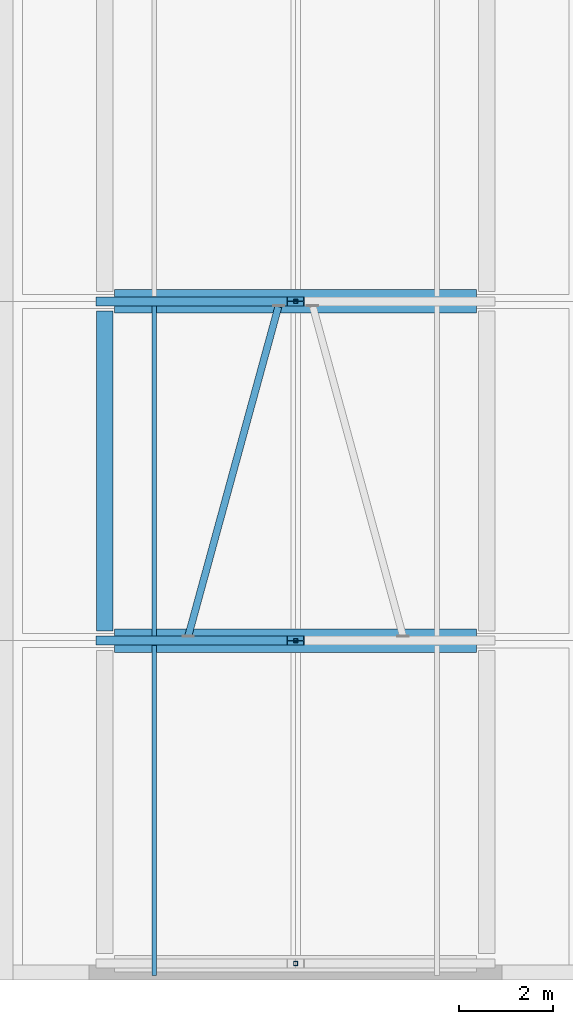
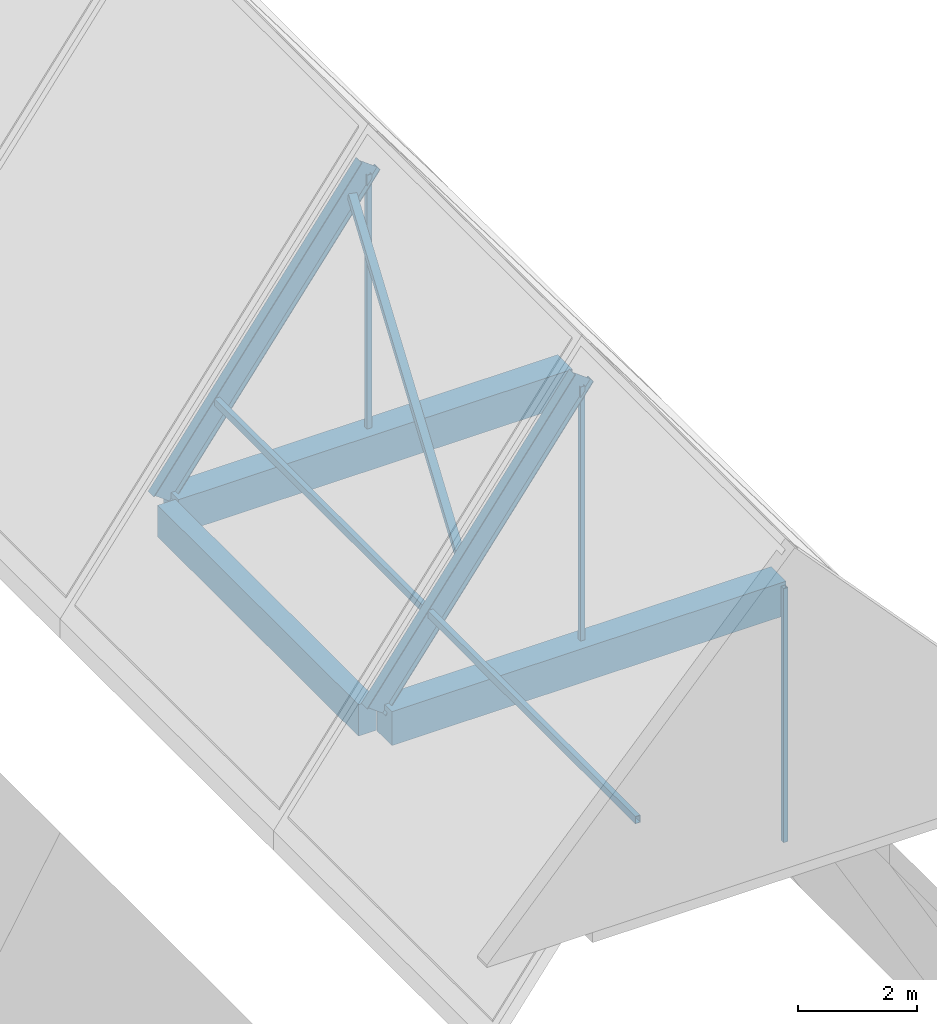
# One storey, part 4 of 29: 8 members, 3 beams.
"""IFC4 building model written with IfcOpenShell, lengths in metres."""

from ifc_helpers import new_model, si_unit, derived_unit, direction, frame, origin, origin_2d, place, context, subcontext, project, spatial, rectangle, hollow_rectangle, i_section, extrude, material, material_profile, profile_set, type_object, element, save


model = new_model("IFC4")

# Units and contexts
model_context = context("Model", 3, precision=1e-05, world=origin(), true_north=direction((0.0, 1.0)))
body_context = subcontext(model_context, "Body", "Model", "MODEL_VIEW")
ifc_project = project(units=[si_unit("LENGTHUNIT", "METRE"), si_unit("AREAUNIT", "SQUARE_METRE"), si_unit("VOLUMEUNIT", "CUBIC_METRE"), si_unit("PLANEANGLEUNIT", "RADIAN"), si_unit("MASSUNIT", "GRAM", prefix="KILO"), derived_unit("THERMALTRANSMITTANCEUNIT", [(si_unit("MASSUNIT", "GRAM", prefix="KILO"), 1), (si_unit("TIMEUNIT", "SECOND"), -3), (si_unit("THERMODYNAMICTEMPERATUREUNIT", "KELVIN"), -1)])], contexts=[model_context])

# Site, building, storey
site_placement = place(None, origin())
site = spatial("IfcSite", under=ifc_project, at=site_placement, CompositionType="ELEMENT")
building_placement = place(site_placement, origin())
building = spatial("IfcBuilding", under=site, at=building_placement, Name="Ochrekiln Boulevard Commons", CompositionType="ELEMENT")
storey_placement = place(building_placement, frame((0.0, 0.0, 37.27490234375)))
storey = spatial("IfcBuildingStorey", under=building, at=storey_placement, Name="L11", CompositionType="ELEMENT", Elevation=37.27490234375)

# Beams
ifc_material_1 = material(Name="Concrete C40/50", Category="concrete")
ifc_material_profile_1 = material_profile(ifc_material_1, rectangle(XDim=0.5, YDim=0.699951171875, at=origin_2d()), Name="RC-BM-500x700")
ifc_profile_set_1 = profile_set([ifc_material_profile_1], Name="Concrete C40/50")
beam_type_1 = type_object("IfcBeamType", Name="BM-RC-500x700", PredefinedType="BEAM", material=ifc_profile_set_1)
for number, where, z_axis, x_axis, name in (
    (1, (156.360107421875, 7.199951171875, -0.64990234375), (1.0, 0.0, 0.0), (0.0, 1.0, 0.0), "Block C L11 Beam B-5070 X2"),
    (2, (156.360107421875, 14.39990234375, -0.64990234375), (1.0, 0.0, 0.0), (0.0, 1.0, 0.0), "Block C L11 Beam B-5070 X3"),
):
    element("IfcBeam", number, at=place(storey_placement, frame(where, z_axis=z_axis, x_axis=x_axis)), inside=storey, type_object=beam_type_1, Name=name, PredefinedType="BEAM", context=body_context, shape_type="SweptSolid", body=[
        extrude(rectangle(XDim=0.5, YDim=0.699951171875, at=origin_2d()), origin(), (0.0, 0.0, 1.0), 7.679931640625),
    ])

# Members
ifc_material_2 = material(Name="Steel A500 Grade C", Category="steel")
ifc_material_profile_2 = material_profile(ifc_material_2, hollow_rectangle(XDim=0.14990234375, YDim=0.14990234375, WallThickness=0.009521484375, at=origin_2d()), Name="HSS150X150X9.5")
ifc_profile_set_2 = profile_set([ifc_material_profile_2], Name="Steel A500 Grade C")
member_type_1 = type_object("IfcMemberType", Name="MEM-BRC-HSS150", PredefinedType="BRACE", material=ifc_profile_set_2)
member_placement = place(storey_placement, frame((157.919921875, 7.2900390625, 2.054931640625), z_axis=(0.248542766862, 0.908658451157, 0.335509034428), x_axis=(-0.964567699772, 0.263835464934, 0.0)))
element("IfcMember", 3, at=member_placement, inside=storey, type_object=member_type_1, Name="Block C Roof Diagonal Brace 2W", PredefinedType="BRACE", context=body_context, shape_type="SweptSolid", body=[
    extrude(hollow_rectangle(XDim=0.14990234375, YDim=0.14990234375, WallThickness=0.009521484375, at=origin_2d()), origin(), (0.0, 0.0, 1.0), 7.7255859375),
])
ifc_material_profile_3 = material_profile(ifc_material_2, hollow_rectangle(XDim=0.090087890625, YDim=0.090087890625, WallThickness=0.00634765625, at=origin_2d()), Name="HSS90X90X6.4")
ifc_profile_set_3 = profile_set([ifc_material_profile_3], Name="Steel A500 Grade C")
member_type_2 = type_object("IfcMemberType", Name="MEM-PST-HSS90", PredefinedType="POST", material=ifc_profile_set_3)
for number, where, z_axis, x_axis, name in (
    (4, (160.199951171875, 0.35009765625, -0.2998046875), (0.0, 0.0, 1.0), (1.0, 0.0, 0.0), "Block C Attic Gable Ridge King-Post 1"),
    (5, (160.199951171875, 7.199951171875, -0.2998046875), (0.0, 0.0, 1.0), (1.0, 0.0, 0.0), "Block C Attic Gable Ridge King-Post 2"),
    (6, (160.199951171875, 14.39990234375, -0.2998046875), (0.0, 0.0, 1.0), (1.0, 0.0, 0.0), "Block C Attic Gable Ridge King-Post 3"),
):
    element("IfcMember", number, at=place(storey_placement, frame(where, z_axis=z_axis, x_axis=x_axis)), inside=storey, type_object=member_type_2, Name=name, PredefinedType="POST", context=body_context, shape_type="SweptSolid", body=[
        extrude(hollow_rectangle(XDim=0.090087890625, YDim=0.090087890625, WallThickness=0.00634765625, at=origin_2d()), origin(), (0.0, 0.0, 1.0), 5.231201171875),
    ])
ifc_material_profile_4 = material_profile(ifc_material_2, hollow_rectangle(XDim=0.10009765625, YDim=0.14990234375, WallThickness=0.00634765625, at=origin_2d()), Name="HSS150X100X6.4")
ifc_profile_set_4 = profile_set([ifc_material_profile_4], Name="Steel A500 Grade C")
member_type_3 = type_object("IfcMemberType", Name="MEM-PUR-HSS150X100", PredefinedType="PURLIN", material=ifc_profile_set_4)
for number, where, z_axis, x_axis, name in (
    (7, (157.199951171875, 0.10009765625, 1.3408203125), (0.0, 1.0, 0.0), (-1.0, 0.0, 0.0), "Block C Roof Purlin 1W.1"),
    (8, (157.199951171875, 7.300048828125, 1.3408203125), (0.0, 1.0, 0.0), (-1.0, 0.0, 0.0), "Block C Roof Purlin 2W.1"),
):
    element("IfcMember", number, at=place(storey_placement, frame(where, z_axis=z_axis, x_axis=x_axis)), inside=storey, type_object=member_type_3, Name=name, PredefinedType="PURLIN", context=body_context, shape_type="SweptSolid", body=[
        extrude(hollow_rectangle(XDim=0.10009765625, YDim=0.14990234375, WallThickness=0.00634765625, at=origin_2d()), origin(), (0.0, 0.0, 1.0), 7.0),
    ])
ifc_material_3 = material(Name="Steel A992 Grade 50", Category="steel")
ifc_material_profile_5 = material_profile(ifc_material_3, i_section(OverallWidth=0.19091796875, OverallDepth=0.45703125, WebThickness=0.009033203125, FlangeThickness=0.014404296875, at=origin_2d()), Name="W18X50")
ifc_profile_set_5 = profile_set([ifc_material_profile_5], Name="Steel A992 Grade 50")
member_type_4 = type_object("IfcMemberType", Name="MEM-RAF-W18X50", PredefinedType="RAFTER", material=ifc_profile_set_5)
for number, where, z_axis, x_axis, name in (
    (9, (156.14990234375, 7.199951171875, -0.33447265625), (0.595230124903, 0.0, 0.803555286467), (0.0, 1.0, 0.0), "Block C Steep Gable Rafter 2W"),
    (10, (156.14990234375, 14.39990234375, -0.33447265625), (0.595230124903, 0.0, 0.803555286467), (0.0, 1.0, 0.0), "Block C Steep Gable Rafter 3W"),
):
    element("IfcMember", number, at=place(storey_placement, frame(where, z_axis=z_axis, x_axis=x_axis)), inside=storey, type_object=member_type_4, Name=name, PredefinedType="RAFTER", context=body_context, shape_type="SweptSolid", body=[
        extrude(i_section(OverallWidth=0.19091796875, OverallDepth=0.45703125, WebThickness=0.009033203125, FlangeThickness=0.014404296875, at=origin_2d()), origin(), (0.0, 0.0, 1.0), 6.80419921875),
    ])

# Beam
ifc_material_profile_6 = material_profile(ifc_material_1, rectangle(XDim=0.35009765625, YDim=0.64990234375, at=origin_2d()), Name="RC-SPN-350x650")
ifc_profile_set_6 = profile_set([ifc_material_profile_6], Name="Concrete C40/50")
beam_type_2 = type_object("IfcBeamType", Name="SPN-RC-350x650", PredefinedType="SPANDREL", material=ifc_profile_set_6)
beam_placement = place(storey_placement, frame((156.14990234375, 7.409912109375, -0.625), z_axis=(0.0, 1.0, 0.0), x_axis=(-1.0, 0.0, 0.0)))
element("IfcBeam", 11, at=beam_placement, inside=storey, type_object=beam_type_2, Name="Block C L11 Beam SP-3565 Y10", PredefinedType="SPANDREL", context=body_context, shape_type="SweptSolid", body=[
    extrude(rectangle(XDim=0.35009765625, YDim=0.64990234375, at=origin_2d()), origin(), (0.0, 0.0, 1.0), 6.780029296875),
])

save(model, "model.ifc")
